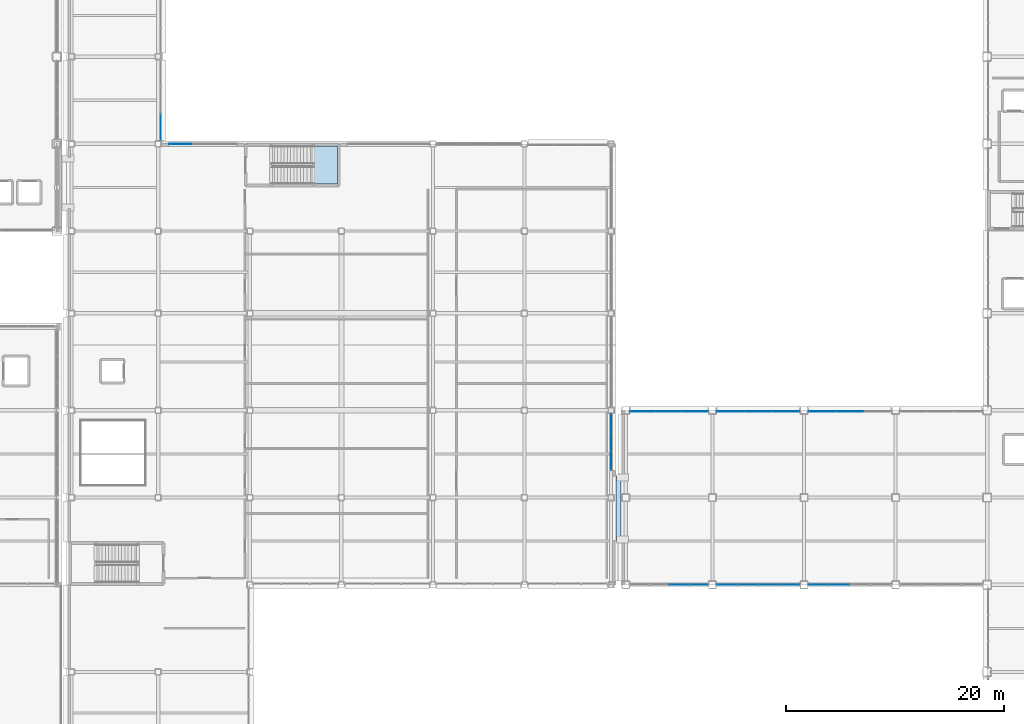
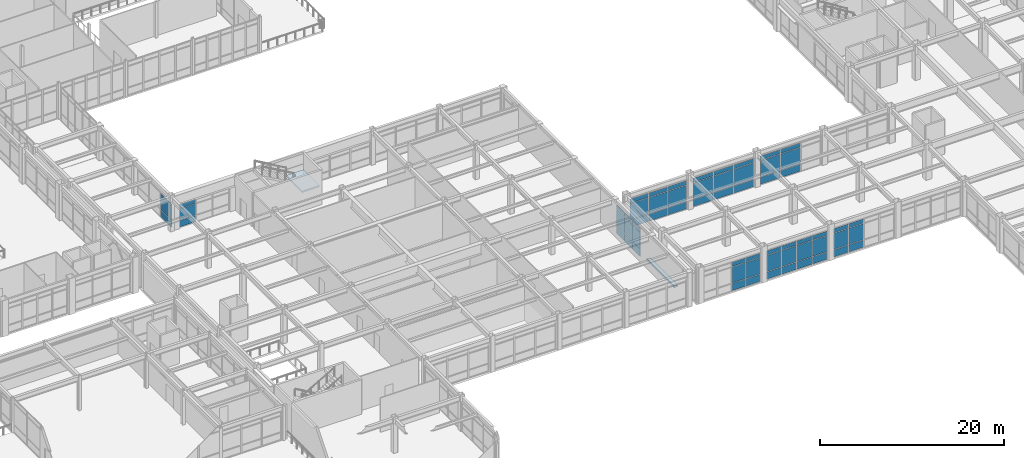
# One storey, part 118 of 154: 62 plates, 2 slabs, 10 elements without a shape of their own.
"""IFC4 building model written with IfcOpenShell, lengths in metres."""

from ifc_helpers import new_model, si_unit, direction, frame, origin, origin_2d, place, context, subcontext, project, spatial, polyline, rectangle, outline, extrude, material, layer, layer_set, type_object, element, aggregate, save


model = new_model("IFC4")

# Units and contexts
model_context = context("Model", 3, precision=1e-05, world=origin(), true_north=direction((0.0, 1.0)))
body_context = subcontext(model_context, "Body", "Model", "MODEL_VIEW")
ifc_project = project(units=[si_unit("LENGTHUNIT", "METRE"), si_unit("AREAUNIT", "SQUARE_METRE"), si_unit("VOLUMEUNIT", "CUBIC_METRE"), si_unit("PLANEANGLEUNIT", "RADIAN"), si_unit("MASSUNIT", "GRAM", prefix="KILO")], contexts=[model_context])

# Site, building, storey
site_placement = place(None, origin())
site = spatial("IfcSite", under=ifc_project, at=site_placement, CompositionType="ELEMENT")
building_placement = place(site_placement, origin())
building = spatial("IfcBuilding", under=site, at=building_placement, Name="Kazehara Bluff Congress Hotel", CompositionType="ELEMENT")
storey_placement = place(building_placement, frame((0.0, 0.0, 10.199951171875)))
storey = spatial("IfcBuildingStorey", under=building, at=storey_placement, Name="L02", CompositionType="ELEMENT", Elevation=10.199951171875)

# Curtain wall, plates
ifc_material_1 = material(Name="Anodised aluminium", Category="aluminium")
ifc_layer_1 = layer(ifc_material_1, 0.159912109375)
ifc_layer_set_1 = layer_set([ifc_layer_1], Name="Anodised aluminium")
curtain_wall_type_1 = type_object("IfcCurtainWallType", Name="TP-CW-57", PredefinedType="NOTDEFINED", material=ifc_layer_set_1)
curtain_wall_1_placement = place(storey_placement, origin())
curtain_wall_1 = element("IfcCurtainWall", 1, at=curtain_wall_1_placement, inside=storey, type_object=curtain_wall_type_1, Name="L02 curtain wall CW-57 CW-V4-L02-X10920-2650", PredefinedType="NOTDEFINED")
ifc_material_2 = material(Name="Insulated low-E double glazing", Category="glass")
ifc_layer_2 = layer(ifc_material_2, 0.028076171875)
ifc_layer_set_2 = layer_set([ifc_layer_2], Name="Insulated low-E double glazing")
plate_type = type_object("IfcPlateType", Name="TP-CWP-01", PredefinedType="CURTAIN_PANEL", material=ifc_layer_set_2)
plate_1_placement = place(storey_placement, frame((109.199951171875, 27.3857421875, 0.06005859375), z_axis=(0.0, 0.0, 1.0), x_axis=(0.0, 1.0, 0.0)))
plate_1 = element("IfcPlate", 2, at=plate_1_placement, type_object=plate_type, Name="CW-57 panel 1.1", PredefinedType="CURTAIN_PANEL", context=body_context, shape_type="SweptSolid", body=[
    extrude(rectangle(XDim=1.651611328125, YDim=0.028076171875, at=origin_2d()), origin(), (0.0, 0.0, 1.0), 0.9599609375),
])
plate_2_placement = place(storey_placement, frame((109.199951171875, 27.3857421875, 1.080078125), z_axis=(0.0, 0.0, 1.0), x_axis=(0.0, 1.0, 0.0)))
plate_2 = element("IfcPlate", 3, at=plate_2_placement, type_object=plate_type, Name="CW-57 panel 1.2", PredefinedType="CURTAIN_PANEL", context=body_context, shape_type="SweptSolid", body=[
    extrude(rectangle(XDim=1.651611328125, YDim=0.028076171875, at=origin_2d()), origin(), (0.0, 0.0, 1.0), 2.125),
])
plate_3_placement = place(storey_placement, frame((109.199951171875, 27.3857421875, 3.26513671875), z_axis=(0.0, 0.0, 1.0), x_axis=(0.0, 1.0, 0.0)))
plate_3 = element("IfcPlate", 4, at=plate_3_placement, type_object=plate_type, Name="CW-57 panel 1.3", PredefinedType="CURTAIN_PANEL", context=body_context, shape_type="SweptSolid", body=[
    extrude(rectangle(XDim=1.651611328125, YDim=0.028076171875, at=origin_2d()), origin(), (0.0, 0.0, 1.0), 0.56005859375),
])
plate_4_placement = place(storey_placement, frame((109.199951171875, 29.112548828125, 0.06005859375), z_axis=(0.0, 0.0, 1.0), x_axis=(0.0, 1.0, 0.0)))
plate_4 = element("IfcPlate", 5, at=plate_4_placement, type_object=plate_type, Name="CW-57 panel 2.1", PredefinedType="CURTAIN_PANEL", context=body_context, shape_type="SweptSolid", body=[
    extrude(rectangle(XDim=1.681640625, YDim=0.028076171875, at=origin_2d()), origin(), (0.0, 0.0, 1.0), 0.9599609375),
])
plate_5_placement = place(storey_placement, frame((109.199951171875, 29.112548828125, 1.080078125), z_axis=(0.0, 0.0, 1.0), x_axis=(0.0, 1.0, 0.0)))
plate_5 = element("IfcPlate", 6, at=plate_5_placement, type_object=plate_type, Name="CW-57 panel 2.2", PredefinedType="CURTAIN_PANEL", context=body_context, shape_type="SweptSolid", body=[
    extrude(rectangle(XDim=1.681640625, YDim=0.028076171875, at=origin_2d()), origin(), (0.0, 0.0, 1.0), 2.125),
])
plate_6_placement = place(storey_placement, frame((109.199951171875, 29.112548828125, 3.26513671875), z_axis=(0.0, 0.0, 1.0), x_axis=(0.0, 1.0, 0.0)))
plate_6 = element("IfcPlate", 7, at=plate_6_placement, type_object=plate_type, Name="CW-57 panel 2.3", PredefinedType="CURTAIN_PANEL", context=body_context, shape_type="SweptSolid", body=[
    extrude(rectangle(XDim=1.681640625, YDim=0.028076171875, at=origin_2d()), origin(), (0.0, 0.0, 1.0), 0.56005859375),
])
plate_7_placement = place(storey_placement, frame((109.199951171875, 30.839111328125, 0.06005859375), z_axis=(0.0, 0.0, 1.0), x_axis=(0.0, 1.0, 0.0)))
plate_7 = element("IfcPlate", 8, at=plate_7_placement, type_object=plate_type, Name="CW-57 panel 3.1", PredefinedType="CURTAIN_PANEL", context=body_context, shape_type="SweptSolid", body=[
    extrude(rectangle(XDim=1.651611328125, YDim=0.028076171875, at=origin_2d()), origin(), (0.0, 0.0, 1.0), 0.9599609375),
])
plate_8_placement = place(storey_placement, frame((109.199951171875, 30.839111328125, 1.080078125), z_axis=(0.0, 0.0, 1.0), x_axis=(0.0, 1.0, 0.0)))
plate_8 = element("IfcPlate", 9, at=plate_8_placement, type_object=plate_type, Name="CW-57 panel 3.2", PredefinedType="CURTAIN_PANEL", context=body_context, shape_type="SweptSolid", body=[
    extrude(rectangle(XDim=1.651611328125, YDim=0.028076171875, at=origin_2d()), origin(), (0.0, 0.0, 1.0), 2.125),
])
plate_9_placement = place(storey_placement, frame((109.199951171875, 30.839111328125, 3.26513671875), z_axis=(0.0, 0.0, 1.0), x_axis=(0.0, 1.0, 0.0)))
plate_9 = element("IfcPlate", 10, at=plate_9_placement, type_object=plate_type, Name="CW-57 panel 3.3", PredefinedType="CURTAIN_PANEL", context=body_context, shape_type="SweptSolid", body=[
    extrude(rectangle(XDim=1.651611328125, YDim=0.028076171875, at=origin_2d()), origin(), (0.0, 0.0, 1.0), 0.56005859375),
])
aggregate(curtain_wall_1, [plate_1, plate_2, plate_3, plate_4, plate_5, plate_6, plate_7, plate_8, plate_9])

ifc_material_3 = material(Name="Anodised aluminium", Category="aluminium")
ifc_layer_3 = layer(ifc_material_3, 0.159912109375)
ifc_layer_set_3 = layer_set([ifc_layer_3], Name="Anodised aluminium")
curtain_wall_type_2 = type_object("IfcCurtainWallType", Name="TP-CW-72", PredefinedType="NOTDEFINED", material=ifc_layer_set_3)
curtain_wall_2_placement = place(storey_placement, origin())
curtain_wall_2 = element("IfcCurtainWall", 11, at=curtain_wall_2_placement, inside=storey, type_object=curtain_wall_type_2, Name="L02 curtain wall CW-72 CW-V4-L02-Y5645-6860", PredefinedType="NOTDEFINED")
plate_10_placement = place(storey_placement, frame((69.6650390625, 56.449951171875, 0.06005859375), z_axis=(0.0, 0.0, 1.0), x_axis=(1.0, 0.0, 0.0)))
plate_10 = element("IfcPlate", 12, at=plate_10_placement, type_object=plate_type, Name="CW-72 panel 1.1", PredefinedType="CURTAIN_PANEL", context=body_context, shape_type="SweptSolid", body=[
    extrude(rectangle(XDim=2.010009765625, YDim=0.028076171875, at=origin_2d()), origin(), (0.0, 0.0, 1.0), 0.85009765625),
])
plate_11_placement = place(storey_placement, frame((69.6650390625, 56.449951171875, 0.97021484375), z_axis=(0.0, 0.0, 1.0), x_axis=(1.0, 0.0, 0.0)))
plate_11 = element("IfcPlate", 13, at=plate_11_placement, type_object=plate_type, Name="CW-72 panel 1.2", PredefinedType="CURTAIN_PANEL", context=body_context, shape_type="SweptSolid", body=[
    extrude(rectangle(XDim=2.010009765625, YDim=0.028076171875, at=origin_2d()), origin(), (0.0, 0.0, 1.0), 1.485107421875),
])
plate_12_placement = place(storey_placement, frame((69.6650390625, 56.449951171875, 2.51513671875), z_axis=(0.0, 0.0, 1.0), x_axis=(1.0, 0.0, 0.0)))
plate_12 = element("IfcPlate", 14, at=plate_12_placement, type_object=plate_type, Name="CW-72 panel 1.3", PredefinedType="CURTAIN_PANEL", context=body_context, shape_type="SweptSolid", body=[
    extrude(rectangle(XDim=2.010009765625, YDim=0.028076171875, at=origin_2d()), origin(), (0.0, 0.0, 1.0), 0.56005859375),
])
aggregate(curtain_wall_2, [plate_10, plate_11, plate_12])

ifc_material_4 = material(Name="Anodised aluminium", Category="aluminium")
ifc_layer_4 = layer(ifc_material_4, 0.159912109375)
ifc_layer_set_4 = layer_set([ifc_layer_4], Name="Anodised aluminium")
curtain_wall_type_3 = type_object("IfcCurtainWallType", Name="TP-CW-78", PredefinedType="NOTDEFINED", material=ifc_layer_set_4)
curtain_wall_3_placement = place(storey_placement, origin())
curtain_wall_3 = element("IfcCurtainWall", 15, at=curtain_wall_3_placement, inside=storey, type_object=curtain_wall_type_3, Name="L02 curtain wall CW-78 CW-V5-L02-Y1600-11090", PredefinedType="NOTDEFINED")
plate_13_placement = place(storey_placement, frame((115.43115234375, 16.0, 0.06494140625), z_axis=(0.0, 0.0, 1.0), x_axis=(1.0, 0.0, 0.0)))
plate_13 = element("IfcPlate", 16, at=plate_13_placement, type_object=plate_type, Name="CW-78 panel 3.1", PredefinedType="CURTAIN_PANEL", context=body_context, shape_type="SweptSolid", body=[
    extrude(rectangle(XDim=1.74755859375, YDim=0.028076171875, at=origin_2d()), origin(), (0.0, 0.0, 1.0), 0.952392578125),
])
plate_14_placement = place(storey_placement, frame((115.43115234375, 16.0, 1.08251953125), z_axis=(0.0, 0.0, 1.0), x_axis=(1.0, 0.0, 0.0)))
plate_14 = element("IfcPlate", 17, at=plate_14_placement, type_object=plate_type, Name="CW-78 panel 3.2", PredefinedType="CURTAIN_PANEL", context=body_context, shape_type="SweptSolid", body=[
    extrude(rectangle(XDim=1.74755859375, YDim=0.028076171875, at=origin_2d()), origin(), (0.0, 0.0, 1.0), 2.1201171875),
])
plate_15_placement = place(storey_placement, frame((115.43115234375, 16.0, 3.267578125), z_axis=(0.0, 0.0, 1.0), x_axis=(1.0, 0.0, 0.0)))
plate_15 = element("IfcPlate", 18, at=plate_15_placement, type_object=plate_type, Name="CW-78 panel 3.3", PredefinedType="CURTAIN_PANEL", context=body_context, shape_type="SweptSolid", body=[
    extrude(rectangle(XDim=1.74755859375, YDim=0.028076171875, at=origin_2d()), origin(), (0.0, 0.0, 1.0), 0.552490234375),
])
plate_16_placement = place(storey_placement, frame((117.2275390625, 16.0, 0.06494140625), z_axis=(0.0, 0.0, 1.0), x_axis=(1.0, 0.0, 0.0)))
plate_16 = element("IfcPlate", 19, at=plate_16_placement, type_object=plate_type, Name="CW-78 panel 4.1", PredefinedType="CURTAIN_PANEL", context=body_context, shape_type="SweptSolid", body=[
    extrude(rectangle(XDim=1.715087890625, YDim=0.028076171875, at=origin_2d()), origin(), (0.0, 0.0, 1.0), 0.952392578125),
])
plate_17_placement = place(storey_placement, frame((117.2275390625, 16.0, 1.08251953125), z_axis=(0.0, 0.0, 1.0), x_axis=(1.0, 0.0, 0.0)))
plate_17 = element("IfcPlate", 20, at=plate_17_placement, type_object=plate_type, Name="CW-78 panel 4.2", PredefinedType="CURTAIN_PANEL", context=body_context, shape_type="SweptSolid", body=[
    extrude(rectangle(XDim=1.715087890625, YDim=0.028076171875, at=origin_2d()), origin(), (0.0, 0.0, 1.0), 2.1201171875),
])
plate_18_placement = place(storey_placement, frame((117.2275390625, 16.0, 3.267578125), z_axis=(0.0, 0.0, 1.0), x_axis=(1.0, 0.0, 0.0)))
plate_18 = element("IfcPlate", 21, at=plate_18_placement, type_object=plate_type, Name="CW-78 panel 4.3", PredefinedType="CURTAIN_PANEL", context=body_context, shape_type="SweptSolid", body=[
    extrude(rectangle(XDim=1.715087890625, YDim=0.028076171875, at=origin_2d()), origin(), (0.0, 0.0, 1.0), 0.552490234375),
])
aggregate(curtain_wall_3, [plate_13, plate_14, plate_15, plate_16, plate_17, plate_18])

ifc_material_5 = material(Name="Anodised aluminium", Category="aluminium")
ifc_layer_5 = layer(ifc_material_5, 0.159912109375)
ifc_layer_set_5 = layer_set([ifc_layer_5], Name="Anodised aluminium")
curtain_wall_type_4 = type_object("IfcCurtainWallType", Name="TP-CW-79", PredefinedType="NOTDEFINED", material=ifc_layer_set_5)
curtain_wall_4_placement = place(storey_placement, origin())
curtain_wall_4 = element("IfcCurtainWall", 22, at=curtain_wall_4_placement, inside=storey, type_object=curtain_wall_type_4, Name="L02 curtain wall CW-79 CW-V5-L02-Y1600-11885", PredefinedType="NOTDEFINED")
plate_19_placement = place(storey_placement, frame((119.828857421875, 16.0, 0.06494140625), z_axis=(0.0, 0.0, 1.0), x_axis=(1.0, 0.0, 0.0)))
plate_19 = element("IfcPlate", 23, at=plate_19_placement, type_object=plate_type, Name="CW-79 panel 1.1", PredefinedType="CURTAIN_PANEL", context=body_context, shape_type="SweptSolid", body=[
    extrude(rectangle(XDim=1.827392578125, YDim=0.028076171875, at=origin_2d()), origin(), (0.0, 0.0, 1.0), 0.952392578125),
])
plate_20_placement = place(storey_placement, frame((119.828857421875, 16.0, 1.08251953125), z_axis=(0.0, 0.0, 1.0), x_axis=(1.0, 0.0, 0.0)))
plate_20 = element("IfcPlate", 24, at=plate_20_placement, type_object=plate_type, Name="CW-79 panel 1.2", PredefinedType="CURTAIN_PANEL", context=body_context, shape_type="SweptSolid", body=[
    extrude(rectangle(XDim=1.827392578125, YDim=0.028076171875, at=origin_2d()), origin(), (0.0, 0.0, 1.0), 2.1201171875),
])
plate_21_placement = place(storey_placement, frame((119.828857421875, 16.0, 3.267578125), z_axis=(0.0, 0.0, 1.0), x_axis=(1.0, 0.0, 0.0)))
plate_21 = element("IfcPlate", 25, at=plate_21_placement, type_object=plate_type, Name="CW-79 panel 1.3", PredefinedType="CURTAIN_PANEL", context=body_context, shape_type="SweptSolid", body=[
    extrude(rectangle(XDim=1.827392578125, YDim=0.028076171875, at=origin_2d()), origin(), (0.0, 0.0, 1.0), 0.552490234375),
])
plate_22_placement = place(storey_placement, frame((121.737548828125, 16.0, 0.06494140625), z_axis=(0.0, 0.0, 1.0), x_axis=(1.0, 0.0, 0.0)))
plate_22 = element("IfcPlate", 26, at=plate_22_placement, type_object=plate_type, Name="CW-79 panel 2.1", PredefinedType="CURTAIN_PANEL", context=body_context, shape_type="SweptSolid", body=[
    extrude(rectangle(XDim=1.860107421875, YDim=0.028076171875, at=origin_2d()), origin(), (0.0, 0.0, 1.0), 0.952392578125),
])
plate_23_placement = place(storey_placement, frame((121.737548828125, 16.0, 1.08251953125), z_axis=(0.0, 0.0, 1.0), x_axis=(1.0, 0.0, 0.0)))
plate_23 = element("IfcPlate", 27, at=plate_23_placement, type_object=plate_type, Name="CW-79 panel 2.2", PredefinedType="CURTAIN_PANEL", context=body_context, shape_type="SweptSolid", body=[
    extrude(rectangle(XDim=1.860107421875, YDim=0.028076171875, at=origin_2d()), origin(), (0.0, 0.0, 1.0), 2.1201171875),
])
plate_24_placement = place(storey_placement, frame((121.737548828125, 16.0, 3.267578125), z_axis=(0.0, 0.0, 1.0), x_axis=(1.0, 0.0, 0.0)))
plate_24 = element("IfcPlate", 28, at=plate_24_placement, type_object=plate_type, Name="CW-79 panel 2.3", PredefinedType="CURTAIN_PANEL", context=body_context, shape_type="SweptSolid", body=[
    extrude(rectangle(XDim=1.860107421875, YDim=0.028076171875, at=origin_2d()), origin(), (0.0, 0.0, 1.0), 0.552490234375),
])
plate_25_placement = place(storey_placement, frame((123.66259765625, 16.0, 0.06494140625), z_axis=(0.0, 0.0, 1.0), x_axis=(1.0, 0.0, 0.0)))
plate_25 = element("IfcPlate", 29, at=plate_25_placement, type_object=plate_type, Name="CW-79 panel 3.1", PredefinedType="CURTAIN_PANEL", context=body_context, shape_type="SweptSolid", body=[
    extrude(rectangle(XDim=1.860107421875, YDim=0.028076171875, at=origin_2d()), origin(), (0.0, 0.0, 1.0), 0.952392578125),
])
plate_26_placement = place(storey_placement, frame((123.66259765625, 16.0, 1.08251953125), z_axis=(0.0, 0.0, 1.0), x_axis=(1.0, 0.0, 0.0)))
plate_26 = element("IfcPlate", 30, at=plate_26_placement, type_object=plate_type, Name="CW-79 panel 3.2", PredefinedType="CURTAIN_PANEL", context=body_context, shape_type="SweptSolid", body=[
    extrude(rectangle(XDim=1.860107421875, YDim=0.028076171875, at=origin_2d()), origin(), (0.0, 0.0, 1.0), 2.1201171875),
])
plate_27_placement = place(storey_placement, frame((123.66259765625, 16.0, 3.267578125), z_axis=(0.0, 0.0, 1.0), x_axis=(1.0, 0.0, 0.0)))
plate_27 = element("IfcPlate", 31, at=plate_27_placement, type_object=plate_type, Name="CW-79 panel 3.3", PredefinedType="CURTAIN_PANEL", context=body_context, shape_type="SweptSolid", body=[
    extrude(rectangle(XDim=1.860107421875, YDim=0.028076171875, at=origin_2d()), origin(), (0.0, 0.0, 1.0), 0.552490234375),
])
plate_28_placement = place(storey_placement, frame((125.5712890625, 16.0, 0.06494140625), z_axis=(0.0, 0.0, 1.0), x_axis=(1.0, 0.0, 0.0)))
plate_28 = element("IfcPlate", 32, at=plate_28_placement, type_object=plate_type, Name="CW-79 panel 4.1", PredefinedType="CURTAIN_PANEL", context=body_context, shape_type="SweptSolid", body=[
    extrude(rectangle(XDim=1.827392578125, YDim=0.028076171875, at=origin_2d()), origin(), (0.0, 0.0, 1.0), 0.952392578125),
])
plate_29_placement = place(storey_placement, frame((125.5712890625, 16.0, 1.08251953125), z_axis=(0.0, 0.0, 1.0), x_axis=(1.0, 0.0, 0.0)))
plate_29 = element("IfcPlate", 33, at=plate_29_placement, type_object=plate_type, Name="CW-79 panel 4.2", PredefinedType="CURTAIN_PANEL", context=body_context, shape_type="SweptSolid", body=[
    extrude(rectangle(XDim=1.827392578125, YDim=0.028076171875, at=origin_2d()), origin(), (0.0, 0.0, 1.0), 2.1201171875),
])
plate_30_placement = place(storey_placement, frame((125.5712890625, 16.0, 3.267578125), z_axis=(0.0, 0.0, 1.0), x_axis=(1.0, 0.0, 0.0)))
plate_30 = element("IfcPlate", 34, at=plate_30_placement, type_object=plate_type, Name="CW-79 panel 4.3", PredefinedType="CURTAIN_PANEL", context=body_context, shape_type="SweptSolid", body=[
    extrude(rectangle(XDim=1.827392578125, YDim=0.028076171875, at=origin_2d()), origin(), (0.0, 0.0, 1.0), 0.552490234375),
])
aggregate(curtain_wall_4, [plate_19, plate_20, plate_21, plate_22, plate_23, plate_24, plate_25, plate_26, plate_27, plate_28, plate_29, plate_30])

curtain_wall_5_placement = place(storey_placement, origin())
curtain_wall_5 = element("IfcCurtainWall", 35, at=curtain_wall_5_placement, inside=storey, type_object=curtain_wall_type_4, Name="L02 curtain wall CW-79 CW-V5-L02-Y1600-12725", PredefinedType="NOTDEFINED")
plate_31_placement = place(storey_placement, frame((128.228759765625, 16.0, 0.06494140625), z_axis=(0.0, 0.0, 1.0), x_axis=(1.0, 0.0, 0.0)))
plate_31 = element("IfcPlate", 36, at=plate_31_placement, type_object=plate_type, Name="CW-79 panel 1.1", PredefinedType="CURTAIN_PANEL", context=body_context, shape_type="SweptSolid", body=[
    extrude(rectangle(XDim=1.827392578125, YDim=0.028076171875, at=origin_2d()), origin(), (0.0, 0.0, 1.0), 0.952392578125),
])
plate_32_placement = place(storey_placement, frame((128.228759765625, 16.0, 1.08251953125), z_axis=(0.0, 0.0, 1.0), x_axis=(1.0, 0.0, 0.0)))
plate_32 = element("IfcPlate", 37, at=plate_32_placement, type_object=plate_type, Name="CW-79 panel 1.2", PredefinedType="CURTAIN_PANEL", context=body_context, shape_type="SweptSolid", body=[
    extrude(rectangle(XDim=1.827392578125, YDim=0.028076171875, at=origin_2d()), origin(), (0.0, 0.0, 1.0), 2.1201171875),
])
plate_33_placement = place(storey_placement, frame((128.228759765625, 16.0, 3.267578125), z_axis=(0.0, 0.0, 1.0), x_axis=(1.0, 0.0, 0.0)))
plate_33 = element("IfcPlate", 38, at=plate_33_placement, type_object=plate_type, Name="CW-79 panel 1.3", PredefinedType="CURTAIN_PANEL", context=body_context, shape_type="SweptSolid", body=[
    extrude(rectangle(XDim=1.827392578125, YDim=0.028076171875, at=origin_2d()), origin(), (0.0, 0.0, 1.0), 0.552490234375),
])
plate_34_placement = place(storey_placement, frame((130.137451171875, 16.0, 0.06494140625), z_axis=(0.0, 0.0, 1.0), x_axis=(1.0, 0.0, 0.0)))
plate_34 = element("IfcPlate", 39, at=plate_34_placement, type_object=plate_type, Name="CW-79 panel 2.1", PredefinedType="CURTAIN_PANEL", context=body_context, shape_type="SweptSolid", body=[
    extrude(rectangle(XDim=1.860107421875, YDim=0.028076171875, at=origin_2d()), origin(), (0.0, 0.0, 1.0), 0.952392578125),
])
plate_35_placement = place(storey_placement, frame((130.137451171875, 16.0, 1.08251953125), z_axis=(0.0, 0.0, 1.0), x_axis=(1.0, 0.0, 0.0)))
plate_35 = element("IfcPlate", 40, at=plate_35_placement, type_object=plate_type, Name="CW-79 panel 2.2", PredefinedType="CURTAIN_PANEL", context=body_context, shape_type="SweptSolid", body=[
    extrude(rectangle(XDim=1.860107421875, YDim=0.028076171875, at=origin_2d()), origin(), (0.0, 0.0, 1.0), 2.1201171875),
])
plate_36_placement = place(storey_placement, frame((130.137451171875, 16.0, 3.267578125), z_axis=(0.0, 0.0, 1.0), x_axis=(1.0, 0.0, 0.0)))
plate_36 = element("IfcPlate", 41, at=plate_36_placement, type_object=plate_type, Name="CW-79 panel 2.3", PredefinedType="CURTAIN_PANEL", context=body_context, shape_type="SweptSolid", body=[
    extrude(rectangle(XDim=1.860107421875, YDim=0.028076171875, at=origin_2d()), origin(), (0.0, 0.0, 1.0), 0.552490234375),
])
aggregate(curtain_wall_5, [plate_31, plate_32, plate_33, plate_34, plate_35, plate_36])

ifc_material_6 = material(Name="Anodised aluminium", Category="aluminium")
ifc_layer_6 = layer(ifc_material_6, 0.159912109375)
ifc_layer_set_6 = layer_set([ifc_layer_6], Name="Anodised aluminium")
curtain_wall_type_5 = type_object("IfcCurtainWallType", Name="TP-CW-140", PredefinedType="NOTDEFINED", material=ifc_layer_set_6)
curtain_wall_6_placement = place(storey_placement, origin())
curtain_wall_6 = element("IfcCurtainWall", 42, at=curtain_wall_6_placement, inside=storey, type_object=curtain_wall_type_5, Name="L02 curtain wall CW-140 CW-ENC-V4-L02-6788-6045", PredefinedType="NOTDEFINED")
plate_37_placement = place(storey_placement, frame((67.8798828125, 57.98291015625, 0.06494140625), z_axis=(0.0, 0.0, 1.0), x_axis=(0.0, -1.0, 0.0)))
plate_37 = element("IfcPlate", 43, at=plate_37_placement, type_object=plate_type, Name="CW-140 panel 3.1", PredefinedType="CURTAIN_PANEL", context=body_context, shape_type="SweptSolid", body=[
    extrude(rectangle(XDim=2.3857421875, YDim=0.028076171875, at=origin_2d()), origin(), (0.0, 0.0, 1.0), 0.952392578125),
])
plate_38_placement = place(storey_placement, frame((67.8798828125, 57.98291015625, 1.08251953125), z_axis=(0.0, 0.0, 1.0), x_axis=(0.0, -1.0, 0.0)))
plate_38 = element("IfcPlate", 44, at=plate_38_placement, type_object=plate_type, Name="CW-140 panel 3.2", PredefinedType="CURTAIN_PANEL", context=body_context, shape_type="SweptSolid", body=[
    extrude(rectangle(XDim=2.3857421875, YDim=0.028076171875, at=origin_2d()), origin(), (0.0, 0.0, 1.0), 2.1201171875),
])
aggregate(curtain_wall_6, [plate_37, plate_38])

curtain_wall_7_placement = place(storey_placement, origin())
curtain_wall_7 = element("IfcCurtainWall", 45, at=curtain_wall_7_placement, inside=storey, type_object=curtain_wall_type_3, Name="L02 curtain wall CW-78 CW-ENC-V5-L02-11452-3190", PredefinedType="NOTDEFINED")
plate_39_placement = place(storey_placement, frame((112.12451171875, 31.89990234375, 0.06494140625), z_axis=(0.0, 0.0, 1.0), x_axis=(1.0, 0.0, 0.0)))
plate_39 = element("IfcPlate", 46, at=plate_39_placement, type_object=plate_type, Name="CW-78 panel 1.1", PredefinedType="CURTAIN_PANEL", context=body_context, shape_type="SweptSolid", body=[
    extrude(rectangle(XDim=2.319091796875, YDim=0.028076171875, at=origin_2d()), origin(), (0.0, 0.0, 1.0), 0.952392578125),
])
plate_40_placement = place(storey_placement, frame((112.12451171875, 31.89990234375, 1.08251953125), z_axis=(0.0, 0.0, 1.0), x_axis=(1.0, 0.0, 0.0)))
plate_40 = element("IfcPlate", 47, at=plate_40_placement, type_object=plate_type, Name="CW-78 panel 1.2", PredefinedType="CURTAIN_PANEL", context=body_context, shape_type="SweptSolid", body=[
    extrude(rectangle(XDim=2.319091796875, YDim=0.028076171875, at=origin_2d()), origin(), (0.0, 0.0, 1.0), 2.1201171875),
])
plate_41_placement = place(storey_placement, frame((112.12451171875, 31.89990234375, 3.267578125), z_axis=(0.0, 0.0, 1.0), x_axis=(1.0, 0.0, 0.0)))
plate_41 = element("IfcPlate", 48, at=plate_41_placement, type_object=plate_type, Name="CW-78 panel 1.3", PredefinedType="CURTAIN_PANEL", context=body_context, shape_type="SweptSolid", body=[
    extrude(rectangle(XDim=2.319091796875, YDim=0.028076171875, at=origin_2d()), origin(), (0.0, 0.0, 1.0), 0.552490234375),
])
plate_42_placement = place(storey_placement, frame((114.52490234375, 31.89990234375, 0.06494140625), z_axis=(0.0, 0.0, 1.0), x_axis=(1.0, 0.0, 0.0)))
plate_42 = element("IfcPlate", 49, at=plate_42_placement, type_object=plate_type, Name="CW-78 panel 2.1", PredefinedType="CURTAIN_PANEL", context=body_context, shape_type="SweptSolid", body=[
    extrude(rectangle(XDim=2.3515625, YDim=0.028076171875, at=origin_2d()), origin(), (0.0, 0.0, 1.0), 0.952392578125),
])
plate_43_placement = place(storey_placement, frame((114.52490234375, 31.89990234375, 1.08251953125), z_axis=(0.0, 0.0, 1.0), x_axis=(1.0, 0.0, 0.0)))
plate_43 = element("IfcPlate", 50, at=plate_43_placement, type_object=plate_type, Name="CW-78 panel 2.2", PredefinedType="CURTAIN_PANEL", context=body_context, shape_type="SweptSolid", body=[
    extrude(rectangle(XDim=2.3515625, YDim=0.028076171875, at=origin_2d()), origin(), (0.0, 0.0, 1.0), 2.1201171875),
])
plate_44_placement = place(storey_placement, frame((114.52490234375, 31.89990234375, 3.267578125), z_axis=(0.0, 0.0, 1.0), x_axis=(1.0, 0.0, 0.0)))
plate_44 = element("IfcPlate", 51, at=plate_44_placement, type_object=plate_type, Name="CW-78 panel 2.3", PredefinedType="CURTAIN_PANEL", context=body_context, shape_type="SweptSolid", body=[
    extrude(rectangle(XDim=2.3515625, YDim=0.028076171875, at=origin_2d()), origin(), (0.0, 0.0, 1.0), 0.552490234375),
])
plate_45_placement = place(storey_placement, frame((116.925537109375, 31.89990234375, 0.06494140625), z_axis=(0.0, 0.0, 1.0), x_axis=(1.0, 0.0, 0.0)))
plate_45 = element("IfcPlate", 52, at=plate_45_placement, type_object=plate_type, Name="CW-78 panel 3.1", PredefinedType="CURTAIN_PANEL", context=body_context, shape_type="SweptSolid", body=[
    extrude(rectangle(XDim=2.319091796875, YDim=0.028076171875, at=origin_2d()), origin(), (0.0, 0.0, 1.0), 0.952392578125),
])
plate_46_placement = place(storey_placement, frame((116.925537109375, 31.89990234375, 1.08251953125), z_axis=(0.0, 0.0, 1.0), x_axis=(1.0, 0.0, 0.0)))
plate_46 = element("IfcPlate", 53, at=plate_46_placement, type_object=plate_type, Name="CW-78 panel 3.2", PredefinedType="CURTAIN_PANEL", context=body_context, shape_type="SweptSolid", body=[
    extrude(rectangle(XDim=2.319091796875, YDim=0.028076171875, at=origin_2d()), origin(), (0.0, 0.0, 1.0), 2.1201171875),
])
plate_47_placement = place(storey_placement, frame((116.925537109375, 31.89990234375, 3.267578125), z_axis=(0.0, 0.0, 1.0), x_axis=(1.0, 0.0, 0.0)))
plate_47 = element("IfcPlate", 54, at=plate_47_placement, type_object=plate_type, Name="CW-78 panel 3.3", PredefinedType="CURTAIN_PANEL", context=body_context, shape_type="SweptSolid", body=[
    extrude(rectangle(XDim=2.319091796875, YDim=0.028076171875, at=origin_2d()), origin(), (0.0, 0.0, 1.0), 0.552490234375),
])
aggregate(curtain_wall_7, [plate_39, plate_40, plate_41, plate_42, plate_43, plate_44, plate_45, plate_46, plate_47])

curtain_wall_8_placement = place(storey_placement, origin())
curtain_wall_8 = element("IfcCurtainWall", 55, at=curtain_wall_8_placement, inside=storey, type_object=curtain_wall_type_4, Name="L02 curtain wall CW-79 CW-ENC-V5-L02-12270-3190", PredefinedType="NOTDEFINED")
plate_48_placement = place(storey_placement, frame((120.149658203125, 31.89990234375, 0.06494140625), z_axis=(0.0, 0.0, 1.0), x_axis=(1.0, 0.0, 0.0)))
plate_48 = element("IfcPlate", 56, at=plate_48_placement, type_object=plate_type, Name="CW-79 panel 1.1", PredefinedType="CURTAIN_PANEL", context=body_context, shape_type="SweptSolid", body=[
    extrude(rectangle(XDim=2.46923828125, YDim=0.028076171875, at=origin_2d()), origin(), (0.0, 0.0, 1.0), 0.952392578125),
])
plate_49_placement = place(storey_placement, frame((120.149658203125, 31.89990234375, 1.08251953125), z_axis=(0.0, 0.0, 1.0), x_axis=(1.0, 0.0, 0.0)))
plate_49 = element("IfcPlate", 57, at=plate_49_placement, type_object=plate_type, Name="CW-79 panel 1.2", PredefinedType="CURTAIN_PANEL", context=body_context, shape_type="SweptSolid", body=[
    extrude(rectangle(XDim=2.46923828125, YDim=0.028076171875, at=origin_2d()), origin(), (0.0, 0.0, 1.0), 2.1201171875),
])
plate_50_placement = place(storey_placement, frame((120.149658203125, 31.89990234375, 3.267578125), z_axis=(0.0, 0.0, 1.0), x_axis=(1.0, 0.0, 0.0)))
plate_50 = element("IfcPlate", 58, at=plate_50_placement, type_object=plate_type, Name="CW-79 panel 1.3", PredefinedType="CURTAIN_PANEL", context=body_context, shape_type="SweptSolid", body=[
    extrude(rectangle(XDim=2.46923828125, YDim=0.028076171875, at=origin_2d()), origin(), (0.0, 0.0, 1.0), 0.552490234375),
])
plate_51_placement = place(storey_placement, frame((122.699951171875, 31.89990234375, 0.06494140625), z_axis=(0.0, 0.0, 1.0), x_axis=(1.0, 0.0, 0.0)))
plate_51 = element("IfcPlate", 59, at=plate_51_placement, type_object=plate_type, Name="CW-79 panel 2.1", PredefinedType="CURTAIN_PANEL", context=body_context, shape_type="SweptSolid", body=[
    extrude(rectangle(XDim=2.501708984375, YDim=0.028076171875, at=origin_2d()), origin(), (0.0, 0.0, 1.0), 0.952392578125),
])
plate_52_placement = place(storey_placement, frame((122.699951171875, 31.89990234375, 1.08251953125), z_axis=(0.0, 0.0, 1.0), x_axis=(1.0, 0.0, 0.0)))
plate_52 = element("IfcPlate", 60, at=plate_52_placement, type_object=plate_type, Name="CW-79 panel 2.2", PredefinedType="CURTAIN_PANEL", context=body_context, shape_type="SweptSolid", body=[
    extrude(rectangle(XDim=2.501708984375, YDim=0.028076171875, at=origin_2d()), origin(), (0.0, 0.0, 1.0), 2.1201171875),
])
plate_53_placement = place(storey_placement, frame((122.699951171875, 31.89990234375, 3.267578125), z_axis=(0.0, 0.0, 1.0), x_axis=(1.0, 0.0, 0.0)))
plate_53 = element("IfcPlate", 61, at=plate_53_placement, type_object=plate_type, Name="CW-79 panel 2.3", PredefinedType="CURTAIN_PANEL", context=body_context, shape_type="SweptSolid", body=[
    extrude(rectangle(XDim=2.501708984375, YDim=0.028076171875, at=origin_2d()), origin(), (0.0, 0.0, 1.0), 0.552490234375),
])
plate_54_placement = place(storey_placement, frame((125.25048828125, 31.89990234375, 0.06494140625), z_axis=(0.0, 0.0, 1.0), x_axis=(1.0, 0.0, 0.0)))
plate_54 = element("IfcPlate", 62, at=plate_54_placement, type_object=plate_type, Name="CW-79 panel 3.1", PredefinedType="CURTAIN_PANEL", context=body_context, shape_type="SweptSolid", body=[
    extrude(rectangle(XDim=2.46923828125, YDim=0.028076171875, at=origin_2d()), origin(), (0.0, 0.0, 1.0), 0.952392578125),
])
plate_55_placement = place(storey_placement, frame((125.25048828125, 31.89990234375, 1.08251953125), z_axis=(0.0, 0.0, 1.0), x_axis=(1.0, 0.0, 0.0)))
plate_55 = element("IfcPlate", 63, at=plate_55_placement, type_object=plate_type, Name="CW-79 panel 3.2", PredefinedType="CURTAIN_PANEL", context=body_context, shape_type="SweptSolid", body=[
    extrude(rectangle(XDim=2.46923828125, YDim=0.028076171875, at=origin_2d()), origin(), (0.0, 0.0, 1.0), 2.1201171875),
])
plate_56_placement = place(storey_placement, frame((125.25048828125, 31.89990234375, 3.267578125), z_axis=(0.0, 0.0, 1.0), x_axis=(1.0, 0.0, 0.0)))
plate_56 = element("IfcPlate", 64, at=plate_56_placement, type_object=plate_type, Name="CW-79 panel 3.3", PredefinedType="CURTAIN_PANEL", context=body_context, shape_type="SweptSolid", body=[
    extrude(rectangle(XDim=2.46923828125, YDim=0.028076171875, at=origin_2d()), origin(), (0.0, 0.0, 1.0), 0.552490234375),
])
aggregate(curtain_wall_8, [plate_48, plate_49, plate_50, plate_51, plate_52, plate_53, plate_54, plate_55, plate_56])

curtain_wall_9_placement = place(storey_placement, origin())
curtain_wall_9 = element("IfcCurtainWall", 65, at=curtain_wall_9_placement, inside=storey, type_object=curtain_wall_type_4, Name="L02 curtain wall CW-79 CW-ENC-V5-L02-13110-3190", PredefinedType="NOTDEFINED")
plate_57_placement = place(storey_placement, frame((128.549560546875, 31.89990234375, 0.06494140625), z_axis=(0.0, 0.0, 1.0), x_axis=(1.0, 0.0, 0.0)))
plate_57 = element("IfcPlate", 66, at=plate_57_placement, type_object=plate_type, Name="CW-79 panel 1.1", PredefinedType="CURTAIN_PANEL", context=body_context, shape_type="SweptSolid", body=[
    extrude(rectangle(XDim=2.46923828125, YDim=0.028076171875, at=origin_2d()), origin(), (0.0, 0.0, 1.0), 0.952392578125),
])
plate_58_placement = place(storey_placement, frame((128.549560546875, 31.89990234375, 1.08251953125), z_axis=(0.0, 0.0, 1.0), x_axis=(1.0, 0.0, 0.0)))
plate_58 = element("IfcPlate", 67, at=plate_58_placement, type_object=plate_type, Name="CW-79 panel 1.2", PredefinedType="CURTAIN_PANEL", context=body_context, shape_type="SweptSolid", body=[
    extrude(rectangle(XDim=2.46923828125, YDim=0.028076171875, at=origin_2d()), origin(), (0.0, 0.0, 1.0), 2.1201171875),
])
plate_59_placement = place(storey_placement, frame((128.549560546875, 31.89990234375, 3.267578125), z_axis=(0.0, 0.0, 1.0), x_axis=(1.0, 0.0, 0.0)))
plate_59 = element("IfcPlate", 68, at=plate_59_placement, type_object=plate_type, Name="CW-79 panel 1.3", PredefinedType="CURTAIN_PANEL", context=body_context, shape_type="SweptSolid", body=[
    extrude(rectangle(XDim=2.46923828125, YDim=0.028076171875, at=origin_2d()), origin(), (0.0, 0.0, 1.0), 0.552490234375),
])
plate_60_placement = place(storey_placement, frame((131.10009765625, 31.89990234375, 0.06494140625), z_axis=(0.0, 0.0, 1.0), x_axis=(1.0, 0.0, 0.0)))
plate_60 = element("IfcPlate", 69, at=plate_60_placement, type_object=plate_type, Name="CW-79 panel 2.1", PredefinedType="CURTAIN_PANEL", context=body_context, shape_type="SweptSolid", body=[
    extrude(rectangle(XDim=2.501708984375, YDim=0.028076171875, at=origin_2d()), origin(), (0.0, 0.0, 1.0), 0.952392578125),
])
plate_61_placement = place(storey_placement, frame((131.10009765625, 31.89990234375, 1.08251953125), z_axis=(0.0, 0.0, 1.0), x_axis=(1.0, 0.0, 0.0)))
plate_61 = element("IfcPlate", 70, at=plate_61_placement, type_object=plate_type, Name="CW-79 panel 2.2", PredefinedType="CURTAIN_PANEL", context=body_context, shape_type="SweptSolid", body=[
    extrude(rectangle(XDim=2.501708984375, YDim=0.028076171875, at=origin_2d()), origin(), (0.0, 0.0, 1.0), 2.1201171875),
])
plate_62_placement = place(storey_placement, frame((131.10009765625, 31.89990234375, 3.267578125), z_axis=(0.0, 0.0, 1.0), x_axis=(1.0, 0.0, 0.0)))
plate_62 = element("IfcPlate", 71, at=plate_62_placement, type_object=plate_type, Name="CW-79 panel 2.3", PredefinedType="CURTAIN_PANEL", context=body_context, shape_type="SweptSolid", body=[
    extrude(rectangle(XDim=2.501708984375, YDim=0.028076171875, at=origin_2d()), origin(), (0.0, 0.0, 1.0), 0.552490234375),
])
aggregate(curtain_wall_9, [plate_57, plate_58, plate_59, plate_60, plate_61, plate_62])

# Slab
ifc_material_7 = material(Name="Concrete C36/45", Category="concrete")
ifc_layer_7 = layer(ifc_material_7, 0.25)
ifc_layer_set_7 = layer_set([ifc_layer_7], Name="Concrete C36/45")
slab_type_1 = type_object("IfcSlabType", Name="TP-SL-250", PredefinedType="FLOOR", material=ifc_layer_set_7)
slab_1_placement = place(storey_placement, frame((0.0, 0.0, -0.25)))
element("IfcSlab", 72, at=slab_1_placement, inside=storey, type_object=slab_type_1, Name="Seismic-joint bridge deck BRG-45 L02", PredefinedType="FLOOR", context=body_context, shape_type="SweptSolid", body=[
    extrude(outline(polyline([(109.659912109375, 20.0), (110.090087890625, 20.0), (110.090087890625, 25.60009765625), (109.989990234375, 26.0), (109.659912109375, 26.0), (109.659912109375, 20.0)])), origin(), (0.0, 0.0, 1.0), 0.25),
])

# Stair, slab
ifc_material_8 = material(Name="Concrete C36/45", Category="concrete")
stair_type = type_object("IfcStairType", Name="TP-ST-T02", PredefinedType="HALF_TURN_STAIR", material=ifc_material_8)
stair_placement = place(storey_placement, origin())
stair = element("IfcStair", 73, at=stair_placement, inside=storey, type_object=stair_type, Name="L02 Escape stair ST-09", PredefinedType="HALF_TURN_STAIR")
ifc_material_9 = material(Name="Concrete C36/45", Category="concrete")
ifc_layer_8 = layer(ifc_material_9, 0.199951171875)
ifc_layer_set_8 = layer_set([ifc_layer_8], Name="Concrete C36/45")
slab_type_2 = type_object("IfcSlabType", Name="TP-SLD-200", PredefinedType="LANDING", material=ifc_layer_set_8)
slab_2_placement = place(storey_placement, frame((0.0, 0.0, 2.199951171875)))
slab_2 = element("IfcSlab", 74, at=slab_2_placement, type_object=slab_type_2, Name="ST-09 landing 1", PredefinedType="LANDING", context=body_context, shape_type="SweptSolid", body=[
    extrude(outline(polyline([(81.89990234375, 52.75), (84.10009765625, 52.75), (84.10009765625, 56.25), (81.89990234375, 56.25), (81.89990234375, 52.75)])), origin(), (0.0, 0.0, 1.0), 0.2001953125),
])
aggregate(stair, [slab_2])

save(model, "model.ifc")
